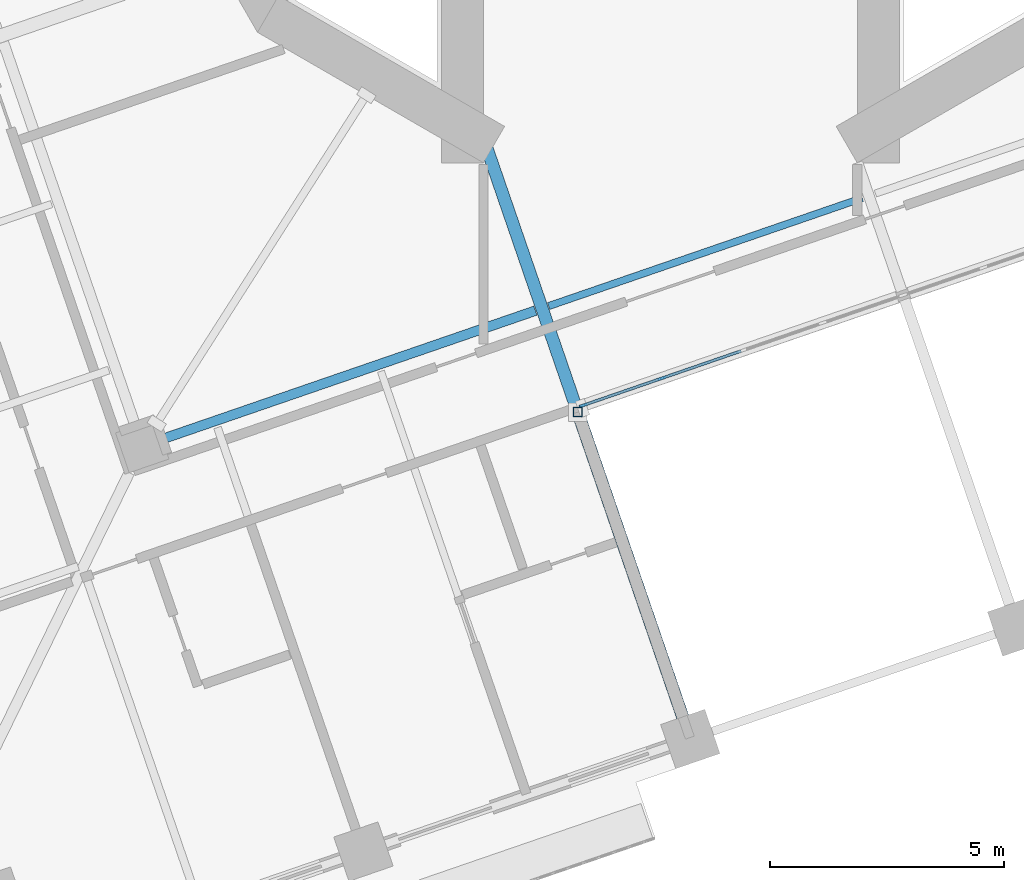
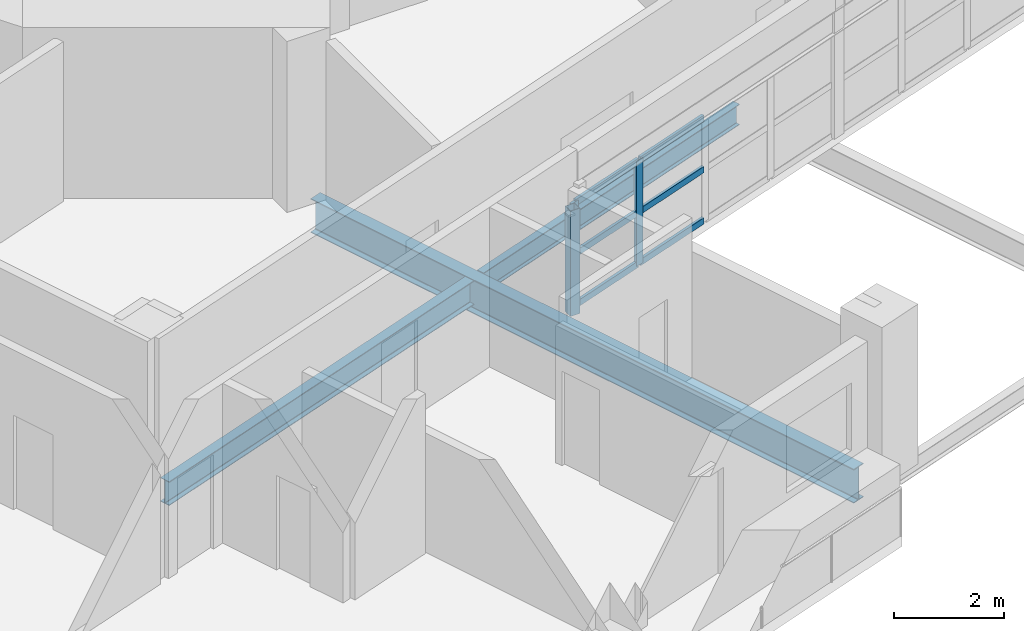
# One storey, part 2 of 22: 9 members, 3 beams, 1 element without a shape of its own.
"""IFC4 building model written with IfcOpenShell, lengths in metres."""

import ifcopenshell
import ifcopenshell.guid

model = None  # the IFC model being written
_history = None  # IfcOwnerHistory: only IFC2X3 demands one
_inside = {}  # id of a spatial element -> (the spatial element, [elements in it])
_under = {}  # id of a project, library or spatial element -> (it, [spatial elements below it])
_declared = {}  # id of a project -> (the project, [libraries it declares])
_typed = {}  # id of a type object -> (the type object, [elements of that type])
_made_of = {}  # id of a material, layer set ... -> (it, [elements and type objects made of it])


def new_model(schema):
    """Start an empty IFC model of exactly this schema.

    Asked for "IFC4X3", IfcOpenShell would pick the latest addendum, in which some entities
    have other attributes; the version numbers below select the first issue.
    IFC2X3 requires an IfcOwnerHistory on every rooted entity: one is made here for all.
    """
    global model, _history
    if schema == "IFC4X3":
        model = ifcopenshell.file(schema_version=(4, 3, 0, 0))
    else:
        model = ifcopenshell.file(schema=schema)
    _inside.clear()
    _under.clear()
    _declared.clear()
    _typed.clear()
    _made_of.clear()
    _history = None
    if model.schema == "IFC2X3":
        org = make("IfcOrganization", Name="unknown")
        user = make(
            "IfcPersonAndOrganization",
            ThePerson=make("IfcPerson", FamilyName="unknown"),
            TheOrganization=org,
        )
        app = make(
            "IfcApplication",
            ApplicationDeveloper=org,
            Version="unknown",
            ApplicationFullName="unknown",
            ApplicationIdentifier="unknown",
        )
        _history = make(
            "IfcOwnerHistory",
            OwningUser=user,
            OwningApplication=app,
            ChangeAction="ADDED",
            CreationDate=0,
        )
    return model


def make(cls, **values):
    """One entity of the class cls with the attributes given. An attribute that is None is left unset."""
    return model.create_entity(
        cls, **{name: value for name, value in values.items() if value is not None}
    )


def rooted(cls, **values):
    """An entity with a GlobalId (a new one), such as an element, a storey or a relation."""
    return make(cls, GlobalId=ifcopenshell.guid.new(), OwnerHistory=_history, **values)


def si_unit(unit_type, name, prefix=None):
    """IfcSIUnit, for example si_unit("LENGTHUNIT", "METRE", prefix="MILLI")."""
    return make("IfcSIUnit", UnitType=unit_type, Prefix=prefix, Name=name)


def assignment(units):
    """IfcUnitAssignment: the units of a project."""
    return None if units is None else make("IfcUnitAssignment", Units=units)


def point(xyz):
    """IfcCartesianPoint."""
    return None if xyz is None else make("IfcCartesianPoint", Coordinates=xyz)


def direction(xyz):
    """IfcDirection."""
    return None if xyz is None else make("IfcDirection", DirectionRatios=xyz)


def frame(location, z_axis=None, x_axis=None):
    """IfcAxis2Placement3D, a coordinate frame: its origin and axes. An axis left out is left unset."""
    return make(
        "IfcAxis2Placement3D",
        Location=point(location),
        Axis=direction(z_axis),
        RefDirection=direction(x_axis),
    )


def frame_2d(location, x_axis=None):
    """IfcAxis2Placement2D, a coordinate frame in the plane: its origin and x axis."""
    return make(
        "IfcAxis2Placement2D", Location=point(location), RefDirection=direction(x_axis)
    )


def origin():
    """The frame at (0, 0, 0) with its axes left unset."""
    return frame((0.0, 0.0, 0.0))


def origin_2d():
    """The frame at (0, 0) in the plane with its x axis left unset."""
    return frame_2d((0.0, 0.0))


def place(relative_to, where):
    """IfcLocalPlacement: puts the frame where relative to a parent placement (None: the world)."""
    return make(
        "IfcLocalPlacement", PlacementRelTo=relative_to, RelativePlacement=where
    )


def context(
    kind, dimensions, precision=None, world=None, true_north=None, identifier=None
):
    """IfcGeometricRepresentationContext, for example the 3D "Model" context."""
    return make(
        "IfcGeometricRepresentationContext",
        ContextIdentifier=identifier,
        ContextType=kind,
        CoordinateSpaceDimension=dimensions,
        Precision=precision,
        WorldCoordinateSystem=world,
        TrueNorth=true_north,
    )


def subcontext(parent, identifier, kind, view, scale=None):
    """IfcGeometricRepresentationSubContext, for example "Body" below "Model"."""
    return make(
        "IfcGeometricRepresentationSubContext",
        ContextIdentifier=identifier,
        ContextType=kind,
        ParentContext=parent,
        TargetScale=scale,
        TargetView=view,
    )


def project(units=None, contexts=None):
    """IfcProject with its units and contexts."""
    return rooted(
        "IfcProject",
        Name="project",
        RepresentationContexts=contexts,
        UnitsInContext=assignment(units),
    )


def spatial(cls, under=None, at=None, **own):
    """A site, building, storey or space (cls), placed at a placement, below another one or the project."""
    s = rooted(cls, ObjectPlacement=at, **own)
    if under is not None:
        _under.setdefault(under.id(), (under, []))[1].append(s)
    return s


def profile(cls, at=None, kind="AREA", **sizes):
    """A parametric profile (cls). Its sizes go by their IFC names, for example OverallWidth=200.0."""
    return make(cls, ProfileType=kind, Position=at, **sizes)


def rectangle(**sizes):
    """IfcRectangleProfileDef."""
    return profile("IfcRectangleProfileDef", **sizes)


def hollow_rectangle(**sizes):
    """IfcRectangleHollowProfileDef."""
    return profile("IfcRectangleHollowProfileDef", **sizes)


def i_section(**sizes):
    """IfcIShapeProfileDef."""
    return profile("IfcIShapeProfileDef", **sizes)


def extrude(swept, where, along, depth):
    """IfcExtrudedAreaSolid: the profile swept, set in the frame where, extruded along a direction by depth."""
    return make(
        "IfcExtrudedAreaSolid",
        SweptArea=swept,
        Position=where,
        ExtrudedDirection=direction(along),
        Depth=depth,
    )


def shape(context_of_items, identifier, shape_type, items):
    """IfcShapeRepresentation: the items that make up one representation, for example the "Body"."""
    return make(
        "IfcShapeRepresentation",
        ContextOfItems=context_of_items,
        RepresentationIdentifier=identifier,
        RepresentationType=shape_type,
        Items=items,
    )


def material(Name=None, Category=None):
    """IfcMaterial."""
    return make("IfcMaterial", Name=Name, Category=Category)


def material_profile(
    of_material, cross_section, Name=None, Category=None, Priority=None
):
    """IfcMaterialProfile: a cross section and its material."""
    return make(
        "IfcMaterialProfile",
        Name=Name,
        Material=of_material,
        Profile=cross_section,
        Priority=Priority,
        Category=Category,
    )


def profile_set(profiles, Name=None, composite=None):
    """IfcMaterialProfileSet."""
    return make(
        "IfcMaterialProfileSet",
        Name=Name,
        MaterialProfiles=profiles,
        CompositeProfile=composite,
    )


def made_of(thing, what):
    """Note that an element or type object is made of a material, layer set ...; save() writes the relation."""
    if what is not None:
        _made_of.setdefault(what.id(), (what, []))[1].append(thing)
    return thing


def type_object(cls, material=None, **own):
    """A type object (cls), such as IfcWallType, which elements share."""
    return made_of(rooted(cls, **own), material)


def element(
    cls,
    number,
    at=None,
    inside=None,
    cuts=None,
    type_object=None,
    material=None,
    context=None,
    identifier="Body",
    shape_type=None,
    held_by="IfcProductDefinitionShape",
    body=None,
    shapes=None,
    **own,
):
    """One element of the class cls, such as IfcWall. Its Tag is "e" and its number.

    at: its placement. inside: the storey or other place that contains it. cuts: it is an
    opening in that element (IfcRelVoidsElement). A single representation is given by context,
    identifier, shape_type and body (its items); several are given by shapes. held_by: the class
    of the entity that holds the representations. save() writes the other relations.
    """
    e = rooted(cls, Tag="e%d" % number, ObjectPlacement=at, **own)
    if body is not None:
        shapes = [shape(context, identifier, shape_type, body)]
    if shapes is not None:
        e.Representation = make(held_by, Representations=shapes)
    if inside is not None:
        _inside.setdefault(inside.id(), (inside, []))[1].append(e)
    if cuts is not None:
        rooted(
            "IfcRelVoidsElement", RelatingBuildingElement=cuts, RelatedOpeningElement=e
        )
    if type_object is not None:
        _typed.setdefault(type_object.id(), (type_object, []))[1].append(e)
    return made_of(e, material)


def aggregate(whole, parts):
    """IfcRelAggregates: a whole, such as a stair, and the parts it consists of."""
    return rooted("IfcRelAggregates", RelatingObject=whole, RelatedObjects=parts)


def save(model, path):
    """Write the relations noted so far, then the file.

    IfcRelAggregates (storeys below a building ...), IfcRelContainedInSpatialStructure (elements
    in a storey), IfcRelDefinesByType, IfcRelAssociatesMaterial and IfcRelDeclares: one each for
    every whole, place, type object, material and project.
    """
    for whole, parts in _under.values():
        aggregate(whole, parts)
    for where, things in _inside.values():
        rooted(
            "IfcRelContainedInSpatialStructure",
            RelatedElements=things,
            RelatingStructure=where,
        )
    for kind, things in _typed.values():
        rooted("IfcRelDefinesByType", RelatedObjects=things, RelatingType=kind)
    for what, things in _made_of.values():
        rooted("IfcRelAssociatesMaterial", RelatedObjects=things, RelatingMaterial=what)
    for by, libraries in _declared.values():
        rooted("IfcRelDeclares", RelatingContext=by, RelatedDefinitions=libraries)
    model.write(path)


model = new_model("IFC4")

# Units and contexts
model_context = context("Model", 3, precision=1e-05, world=origin(), true_north=direction((0.0, 1.0)))
body_context = subcontext(model_context, "Body", "Model", "MODEL_VIEW")
ifc_project = project(units=[si_unit("LENGTHUNIT", "METRE"), si_unit("AREAUNIT", "SQUARE_METRE"), si_unit("VOLUMEUNIT", "CUBIC_METRE"), si_unit("PLANEANGLEUNIT", "RADIAN"), si_unit("MASSUNIT", "GRAM", prefix="KILO")], contexts=[model_context])

# Site, building, storey
site_placement = place(None, origin())
site = spatial("IfcSite", under=ifc_project, at=site_placement, CompositionType="ELEMENT")
building_placement = place(site_placement, origin())
building = spatial("IfcBuilding", under=site, at=building_placement, Name="Cantera Rosa Tower", CompositionType="ELEMENT")
storey_placement = place(building_placement, frame((0.0, 0.0, 104.10009765625)))
storey = spatial("IfcBuildingStorey", under=building, at=storey_placement, Name="L20", CompositionType="ELEMENT", Elevation=104.10009765625)

# Curtain wall, members
ifc_material_1 = material(Name="Aluminium frame with clear glass", Category="aluminium")
curtain_wall_type = type_object("IfcCurtainWallType", Name="CW1 TERRACE POCKET GLAZING", PredefinedType="NOTDEFINED", material=ifc_material_1)
curtain_wall_placement = place(storey_placement, origin())
curtain_wall = element("IfcCurtainWall", 1, at=curtain_wall_placement, inside=storey, type_object=curtain_wall_type, Name="CW1 CW1", PredefinedType="NOTDEFINED")
ifc_material_2 = material(Name="Anodised bronze aluminium", Category="aluminium")
ifc_material_profile_1 = material_profile(ifc_material_2, rectangle(XDim=0.06005859375, YDim=0.179931640625, at=origin_2d()), Name="CW-MULLION 60x180 POCKET")
ifc_profile_set_1 = profile_set([ifc_material_profile_1], Name="Anodised bronze aluminium")
member_type_1 = type_object("IfcMemberType", Name="CW-MULLION 60x180 POCKET", PredefinedType="MULLION", material=ifc_profile_set_1)
member_1_placement = place(storey_placement, frame((-1.869140625, -16.8251953125, 0.0), z_axis=(0.0, 0.0, 1.0), x_axis=(-0.325568154441, 0.945518575605, 0.0)))
member_1 = element("IfcMember", 2, at=member_1_placement, type_object=member_type_1, Name="CW1 mullion 1", PredefinedType="MULLION", context=body_context, shape_type="SweptSolid", body=[
    extrude(rectangle(XDim=0.06005859375, YDim=0.179931640625, at=origin_2d()), origin(), (0.0, 0.0, 1.0), 2.337890625),
])
member_2_placement = place(storey_placement, frame((-0.177734375, -16.242919921875, 0.0), z_axis=(0.0, 0.0, 1.0), x_axis=(-0.325568154441, 0.945518575605, 0.0)))
member_2 = element("IfcMember", 3, at=member_2_placement, type_object=member_type_1, Name="CW1 mullion 2", PredefinedType="MULLION", context=body_context, shape_type="SweptSolid", body=[
    extrude(rectangle(XDim=0.06005859375, YDim=0.179931640625, at=origin_2d()), origin(), (0.0, 0.0, 1.0), 2.337890625),
])
ifc_material_3 = material(Name="Anodised bronze aluminium", Category="aluminium")
ifc_material_profile_2 = material_profile(ifc_material_3, rectangle(XDim=0.06005859375, YDim=0.139892578125, at=origin_2d()), Name="CW-TRANSOM 60x140 POCKET")
ifc_profile_set_2 = profile_set([ifc_material_profile_2], Name="Anodised bronze aluminium")
member_type_2 = type_object("IfcMemberType", Name="CW-TRANSOM 60x140 POCKET", PredefinedType="USERDEFINED", material=ifc_profile_set_2)
member_3_placement = place(storey_placement, frame((-1.8408203125, -16.8154296875, 0.02978515625), z_axis=(0.945545423079, 0.325490173267, 0.0), x_axis=(-0.325490173267, 0.945545423079, 0.0)))
member_3 = element("IfcMember", 4, at=member_3_placement, type_object=member_type_2, Name="CW1 transom 1.1", ObjectType="TRANSOM", PredefinedType="USERDEFINED", context=body_context, shape_type="SweptSolid", body=[
    extrude(rectangle(XDim=0.06005859375, YDim=0.139892578125, at=origin_2d()), origin(), (0.0, 0.0, 1.0), 1.72900390625),
])
member_4_placement = place(storey_placement, frame((-1.8408203125, -16.8154296875, 1.1689453125), z_axis=(0.945545423079, 0.325490173267, 0.0), x_axis=(-0.325490173267, 0.945545423079, 0.0)))
member_4 = element("IfcMember", 5, at=member_4_placement, type_object=member_type_2, Name="CW1 transom 1.2", ObjectType="TRANSOM", PredefinedType="USERDEFINED", context=body_context, shape_type="SweptSolid", body=[
    extrude(rectangle(XDim=0.06005859375, YDim=0.139892578125, at=origin_2d()), origin(), (0.0, 0.0, 1.0), 1.72900390625),
])
member_5_placement = place(storey_placement, frame((-1.8408203125, -16.8154296875, 2.307861328125), z_axis=(0.945545423079, 0.325490173267, 0.0), x_axis=(-0.325490173267, 0.945545423079, 0.0)))
member_5 = element("IfcMember", 6, at=member_5_placement, type_object=member_type_2, Name="CW1 transom 1.3", ObjectType="TRANSOM", PredefinedType="USERDEFINED", context=body_context, shape_type="SweptSolid", body=[
    extrude(rectangle(XDim=0.06005859375, YDim=0.139892578125, at=origin_2d()), origin(), (0.0, 0.0, 1.0), 1.72900390625),
])
member_6_placement = place(storey_placement, frame((-0.1494140625, -16.233154296875, 0.02978515625), z_axis=(0.945485041755, 0.325665527523, 0.0), x_axis=(-0.325665527523, 0.945485041755, 0.0)))
member_6 = element("IfcMember", 7, at=member_6_placement, type_object=member_type_2, Name="CW1 transom 2.1", ObjectType="TRANSOM", PredefinedType="USERDEFINED", context=body_context, shape_type="SweptSolid", body=[
    extrude(rectangle(XDim=0.06005859375, YDim=0.139892578125, at=origin_2d()), origin(), (0.0, 0.0, 1.0), 1.7587890625),
])
member_7_placement = place(storey_placement, frame((-0.1494140625, -16.233154296875, 1.1689453125), z_axis=(0.945485041755, 0.325665527523, 0.0), x_axis=(-0.325665527523, 0.945485041755, 0.0)))
member_7 = element("IfcMember", 8, at=member_7_placement, type_object=member_type_2, Name="CW1 transom 2.2", ObjectType="TRANSOM", PredefinedType="USERDEFINED", context=body_context, shape_type="SweptSolid", body=[
    extrude(rectangle(XDim=0.06005859375, YDim=0.139892578125, at=origin_2d()), origin(), (0.0, 0.0, 1.0), 1.7587890625),
])
member_8_placement = place(storey_placement, frame((-0.1494140625, -16.233154296875, 2.307861328125), z_axis=(0.945485041755, 0.325665527523, 0.0), x_axis=(-0.325665527523, 0.945485041755, 0.0)))
member_8 = element("IfcMember", 9, at=member_8_placement, type_object=member_type_2, Name="CW1 transom 2.3", ObjectType="TRANSOM", PredefinedType="USERDEFINED", context=body_context, shape_type="SweptSolid", body=[
    extrude(rectangle(XDim=0.06005859375, YDim=0.139892578125, at=origin_2d()), origin(), (0.0, 0.0, 1.0), 1.7587890625),
])
aggregate(curtain_wall, [member_1, member_2, member_3, member_4, member_5, member_6, member_7, member_8])

# Member
ifc_material_4 = material(Name="Steel ASTM A992 (Fy 345 MPa)", Category="steel")
ifc_material_profile_3 = material_profile(ifc_material_4, hollow_rectangle(XDim=0.199951171875, YDim=0.199951171875, WallThickness=0.010009765625, at=origin_2d()), Name="LINTEL POST RHS 200x200x10")
ifc_profile_set_3 = profile_set([ifc_material_profile_3], Name="Steel ASTM A992 (Fy 345 MPa)")
member_type_3 = type_object("IfcMemberType", Name="LINTEL POST RHS 200x200x10", PredefinedType="USERDEFINED", material=ifc_profile_set_3)
member_9_placement = place(storey_placement, frame((-1.983154296875, -16.97021484375, 0.0), z_axis=(0.0, 0.0, 1.0), x_axis=(1.0, 0.0, 0.0)))
element("IfcMember", 10, at=member_9_placement, inside=storey, type_object=member_type_3, Name="LINTEL POST L20-1", ObjectType="LINTEL POST", PredefinedType="USERDEFINED", context=body_context, shape_type="SweptSolid", body=[
    extrude(hollow_rectangle(XDim=0.199951171875, YDim=0.199951171875, WallThickness=0.010009765625, at=origin_2d()), origin(), (0.0, 0.0, 1.0), 2.33984375),
])

# Beams
ifc_material_5 = material(Name="Steel ASTM A992 (Fy 345 MPa)", Category="steel")
ifc_material_profile_4 = material_profile(ifc_material_5, i_section(OverallWidth=0.154052734375, OverallDepth=0.4599609375, WebThickness=0.009033203125, FlangeThickness=0.015380859375, FilletRadius=0.01025390625, at=origin_2d()), Name="W460X68")
ifc_profile_set_4 = profile_set([ifc_material_profile_4], Name="Steel ASTM A992 (Fy 345 MPa)")
beam_type_1 = type_object("IfcBeamType", Name="STEEL BEAM W460X68", PredefinedType="BEAM", material=ifc_profile_set_4)
beam_1_placement = place(storey_placement, frame((-2.6064453125, -14.699462890625, -0.47998046875), z_axis=(0.9455219702, 0.325558295653, 0.0), x_axis=(-0.325558295653, 0.9455219702, 0.0)))
element("IfcBeam", 11, at=beam_1_placement, inside=storey, type_object=beam_type_1, Name="RB-Z2-06 L20", PredefinedType="BEAM", context=body_context, shape_type="SweptSolid", body=[
    extrude(i_section(OverallWidth=0.154052734375, OverallDepth=0.4599609375, WebThickness=0.009033203125, FlangeThickness=0.015380859375, FilletRadius=0.01025390625, at=origin_2d()), origin(), (0.0, 0.0, 1.0), 7.10009765625),
])
ifc_material_6 = material(Name="Steel ASTM A992 (Fy 345 MPa)", Category="steel")
ifc_material_profile_5 = material_profile(ifc_material_6, i_section(OverallWidth=0.208984375, OverallDepth=0.532958984375, WebThickness=0.01025390625, FlangeThickness=0.015625, FilletRadius=0.0126953125, at=origin_2d()), Name="W530X92")
ifc_profile_set_5 = profile_set([ifc_material_profile_5], Name="Steel ASTM A992 (Fy 345 MPa)")
beam_type_2 = type_object("IfcBeamType", Name="STEEL BEAM W530X92", PredefinedType="BEAM", material=ifc_profile_set_5)
beam_2_placement = place(storey_placement, frame((-10.879638671875, -17.548095703125, -0.5166015625), z_axis=(0.945522715377, 0.325556131421, 0.0), x_axis=(-0.325556131421, 0.945522715377, 0.0)))
element("IfcBeam", 12, at=beam_2_placement, inside=storey, type_object=beam_type_2, Name="RB-Z2-05 L20", PredefinedType="BEAM", context=body_context, shape_type="SweptSolid", body=[
    extrude(i_section(OverallWidth=0.208984375, OverallDepth=0.532958984375, WebThickness=0.01025390625, FlangeThickness=0.015625, FilletRadius=0.0126953125, at=origin_2d()), origin(), (0.0, 0.0, 1.0), 8.4501953125),
])
ifc_material_7 = material(Name="Steel ASTM A992 (Fy 345 MPa)", Category="steel")
ifc_material_profile_6 = material_profile(ifc_material_7, i_section(OverallWidth=0.26708984375, OverallDepth=0.75390625, WebThickness=0.01318359375, FlangeThickness=0.01708984375, FilletRadius=0.0166015625, at=origin_2d()), Name="W760X147")
ifc_profile_set_6 = profile_set([ifc_material_profile_6], Name="Steel ASTM A992 (Fy 345 MPa)")
beam_type_3 = type_object("IfcBeamType", Name="STEEL BEAM W760X147", PredefinedType="BEAM", material=ifc_profile_set_6)
beam_3_placement = place(storey_placement, frame((0.263427734375, -23.494384765625, -0.627197265625), z_axis=(-0.325569500581, 0.945518112091, 0.0), x_axis=(-0.945518112091, -0.325569500581, 0.0)))
element("IfcBeam", 13, at=beam_3_placement, inside=storey, type_object=beam_type_3, Name="G-Z2-11 L20", PredefinedType="BEAM", context=body_context, shape_type="SweptSolid", body=[
    extrude(i_section(OverallWidth=0.26708984375, OverallDepth=0.75390625, WebThickness=0.01318359375, FlangeThickness=0.01708984375, FilletRadius=0.0166015625, at=origin_2d()), origin(), (0.0, 0.0, 1.0), 13.09521484375),
])

save(model, "model.ifc")
